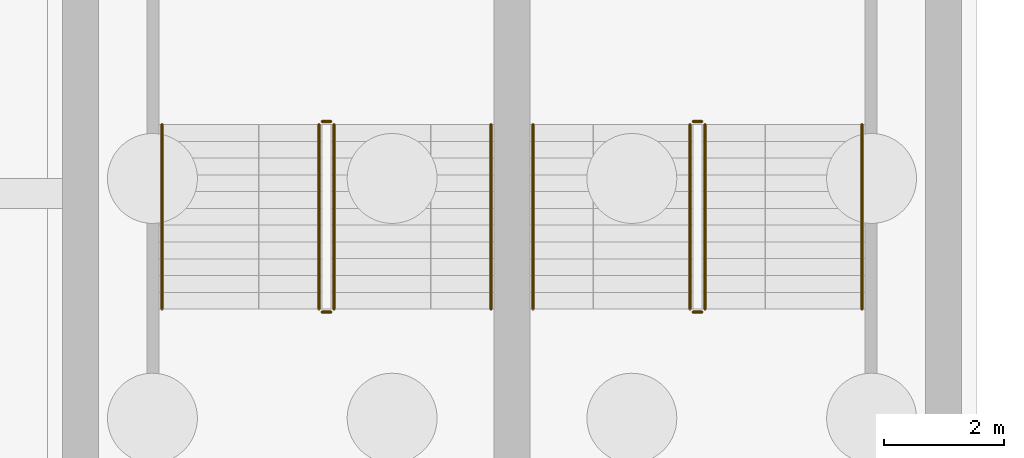
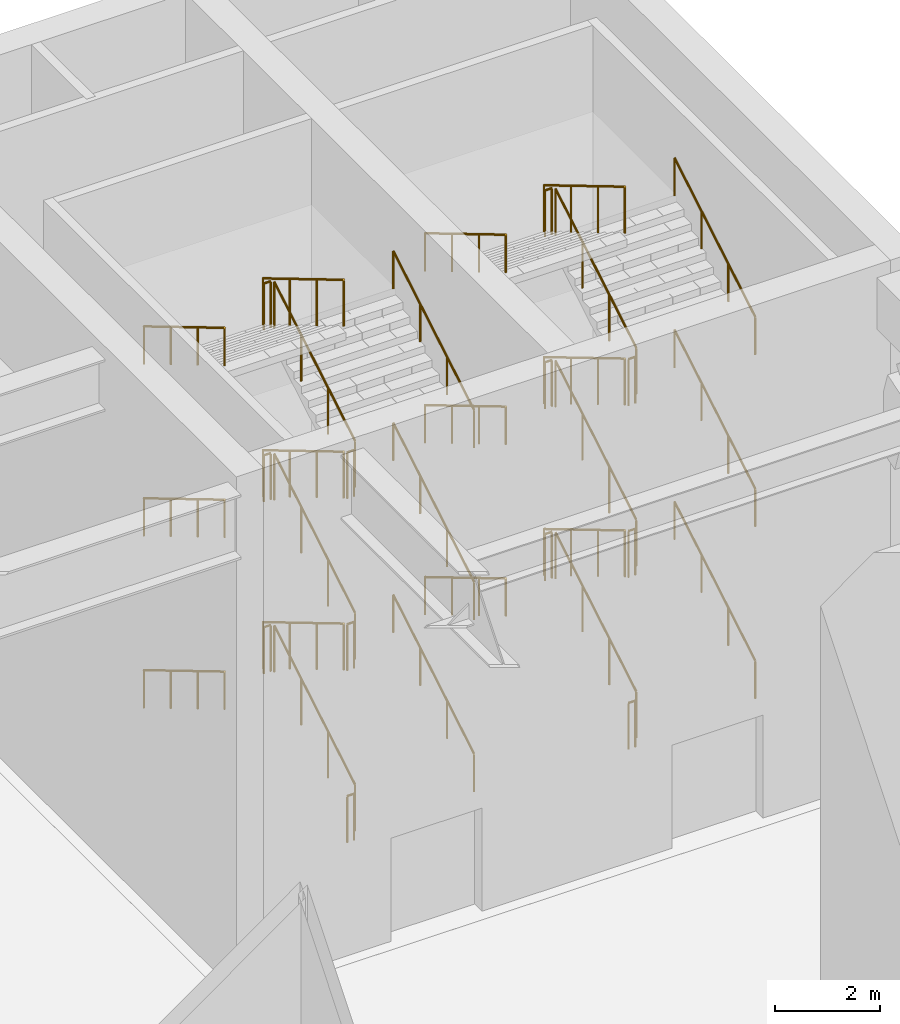
# One storey, part 33 of 34: 4 railings.
"""IFC4 building model written with IfcOpenShell, lengths in metres."""

from ifc_helpers import new_model, si_unit, direction, frame, origin, origin_2d, place, context, subcontext, project, spatial, circle, extrude, material, type_object, element, save


model = new_model("IFC4")

# Units and contexts
model_context = context("Model", 3, precision=1e-05, world=origin(), true_north=direction((0.0, 1.0)))
body_context = subcontext(model_context, "Body", "Model", "MODEL_VIEW")
ifc_project = project(units=[si_unit("LENGTHUNIT", "METRE"), si_unit("AREAUNIT", "SQUARE_METRE"), si_unit("VOLUMEUNIT", "CUBIC_METRE"), si_unit("PLANEANGLEUNIT", "RADIAN"), si_unit("MASSUNIT", "GRAM", prefix="KILO")], contexts=[model_context])

# Site, building, storey
site_placement = place(None, origin())
site = spatial("IfcSite", under=ifc_project, at=site_placement, CompositionType="ELEMENT")
building_placement = place(site_placement, origin())
building = spatial("IfcBuilding", under=site, at=building_placement, Name="Corbelhall Arena Tower", CompositionType="ELEMENT")
storey_placement = place(building_placement, origin())
storey = spatial("IfcBuildingStorey", under=building, at=storey_placement, Name="L00", CompositionType="ELEMENT", Elevation=0.0)

# Railings
ifc_material = material(Name="Stainless steel A4", Category="steel")
railing_type_1 = type_object("IfcRailingType", Name="AR-STAIR-GUARD", PredefinedType="GUARDRAIL", material=ifc_material)
railing_1_placement = place(storey_placement, frame((37.530029296875, 27.320068359375, 0.166748046875)))
element("IfcRailing", 1, at=railing_1_placement, inside=storey, type_object=railing_type_1, Name="L00 AS1 stair guards", PredefinedType="GUARDRAIL", context=body_context, shape_type="SweptSolid", body=[
    extrude(circle(Radius=0.02392578125, at=origin_2d()), frame((0.0, 0.0, 1.076171875), z_axis=(0.0, 0.859290745958, 0.51148745235), x_axis=(-1.0, 0.0, 0.0)), (0.0, 0.0, 1.0), 3.584228515625),
    extrude(circle(Radius=0.02392578125, at=origin_2d()), frame((-0.050048828125, 3.1298828125, 2.9091796875), z_axis=(-1.0, 0.0, 0.0), x_axis=(0.0, -1.0, 0.0)), (0.0, 0.0, 1.0), 0.14990234375),
    extrude(circle(Radius=0.02392578125, at=origin_2d()), frame((-0.25, 3.079833984375, 3.076171875), z_axis=(0.0, -0.859290745958, 0.51148745235), x_axis=(1.0, 0.0, 0.0)), (0.0, 0.0, 1.0), 3.584228515625),
    extrude(circle(Radius=0.02392578125, at=origin_2d()), frame((-0.050048828125, -0.050048828125, 4.9091796875), z_axis=(-1.0, 0.0, 0.0), x_axis=(0.0, -1.0, 0.0)), (0.0, 0.0, 1.0), 0.14990234375),
    extrude(circle(Radius=0.02392578125, at=origin_2d()), frame((0.0, 0.0, 5.076171875), z_axis=(0.0, 0.859290745958, 0.51148745235), x_axis=(-1.0, 0.0, 0.0)), (0.0, 0.0, 1.0), 3.584228515625),
    extrude(circle(Radius=0.02392578125, at=origin_2d()), frame((-0.050048828125, 3.1298828125, 6.9091796875), z_axis=(-1.0, 0.0, 0.0), x_axis=(0.0, -1.0, 0.0)), (0.0, 0.0, 1.0), 0.14990234375),
    extrude(circle(Radius=0.02392578125, at=origin_2d()), frame((-0.25, 3.079833984375, 7.076171875), z_axis=(0.0, -0.859290745958, 0.51148745235), x_axis=(1.0, 0.0, 0.0)), (0.0, 0.0, 1.0), 3.584228515625),
    extrude(circle(Radius=0.02392578125, at=origin_2d()), frame((-0.050048828125, -0.050048828125, 8.9091796875), z_axis=(-1.0, 0.0, 0.0), x_axis=(0.0, -1.0, 0.0)), (0.0, 0.0, 1.0), 0.14990234375),
    extrude(circle(Radius=0.02392578125, at=origin_2d()), frame((0.0, 0.0, 9.076171875), z_axis=(0.0, 0.859290745958, 0.51148745235), x_axis=(-1.0, 0.0, 0.0)), (0.0, 0.0, 1.0), 3.584228515625),
    extrude(circle(Radius=0.02392578125, at=origin_2d()), frame((-0.050048828125, 3.1298828125, 10.9091796875), z_axis=(-1.0, 0.0, 0.0), x_axis=(0.0, -1.0, 0.0)), (0.0, 0.0, 1.0), 0.14990234375),
    extrude(circle(Radius=0.02392578125, at=origin_2d()), frame((-0.25, 3.079833984375, 11.076171875), z_axis=(0.0, -0.859290745958, 0.51148745235), x_axis=(1.0, 0.0, 0.0)), (0.0, 0.0, 1.0), 3.584228515625),
    extrude(circle(Radius=0.02392578125, at=origin_2d()), frame((-0.050048828125, -0.050048828125, 0.9091796875), z_axis=(-1.0, 0.0, 0.0), x_axis=(0.0, -1.0, 0.0)), (0.0, 0.0, 1.0), 0.14990234375),
    extrude(circle(Radius=0.02099609375, at=origin_2d()), origin(), (0.0, 0.0, 1.0), 1.052001953125),
    extrude(circle(Radius=0.02099609375, at=origin_2d()), frame((0.0, 1.026611328125, 0.611083984375)), (0.0, 0.0, 1.0), 1.052001953125),
    extrude(circle(Radius=0.02099609375, at=origin_2d()), frame((0.0, 2.05322265625, 1.22216796875)), (0.0, 0.0, 1.0), 1.052001953125),
    extrude(circle(Radius=0.02099609375, at=origin_2d()), frame((0.0, 3.079833984375, 1.833251953125)), (0.0, 0.0, 1.0), 1.052001953125),
    extrude(circle(Radius=0.02099609375, at=origin_2d()), frame((-0.050048828125, 3.1298828125, 1.833251953125)), (0.0, 0.0, 1.0), 1.052001953125),
    extrude(circle(Radius=0.02099609375, at=origin_2d()), frame((-0.199951171875, 3.1298828125, 1.833251953125)), (0.0, 0.0, 1.0), 1.052001953125),
    extrude(circle(Radius=0.02099609375, at=origin_2d()), frame((-0.25, 3.079833984375, 2.0)), (0.0, 0.0, 1.0), 1.052001953125),
    extrude(circle(Radius=0.02099609375, at=origin_2d()), frame((-0.25, 2.05322265625, 2.611083984375)), (0.0, 0.0, 1.0), 1.052001953125),
    extrude(circle(Radius=0.02099609375, at=origin_2d()), frame((-0.25, 1.026611328125, 3.22216796875)), (0.0, 0.0, 1.0), 1.052001953125),
    extrude(circle(Radius=0.02099609375, at=origin_2d()), frame((-0.25, 0.0, 3.833251953125)), (0.0, 0.0, 1.0), 1.052001953125),
    extrude(circle(Radius=0.02099609375, at=origin_2d()), frame((-0.050048828125, -0.050048828125, 3.833251953125)), (0.0, 0.0, 1.0), 1.052001953125),
    extrude(circle(Radius=0.02099609375, at=origin_2d()), frame((-0.199951171875, -0.050048828125, 3.833251953125)), (0.0, 0.0, 1.0), 1.052001953125),
    extrude(circle(Radius=0.02099609375, at=origin_2d()), frame((0.0, 0.0, 4.0)), (0.0, 0.0, 1.0), 1.052001953125),
    extrude(circle(Radius=0.02099609375, at=origin_2d()), frame((0.0, 1.026611328125, 4.611083984375)), (0.0, 0.0, 1.0), 1.052001953125),
    extrude(circle(Radius=0.02099609375, at=origin_2d()), frame((0.0, 2.05322265625, 5.22216796875)), (0.0, 0.0, 1.0), 1.052001953125),
    extrude(circle(Radius=0.02099609375, at=origin_2d()), frame((0.0, 3.079833984375, 5.833251953125)), (0.0, 0.0, 1.0), 1.052001953125),
    extrude(circle(Radius=0.02099609375, at=origin_2d()), frame((-0.050048828125, 3.1298828125, 5.833251953125)), (0.0, 0.0, 1.0), 1.052001953125),
    extrude(circle(Radius=0.02099609375, at=origin_2d()), frame((-0.199951171875, 3.1298828125, 5.833251953125)), (0.0, 0.0, 1.0), 1.052001953125),
    extrude(circle(Radius=0.02099609375, at=origin_2d()), frame((-0.25, 3.079833984375, 6.0)), (0.0, 0.0, 1.0), 1.052001953125),
    extrude(circle(Radius=0.02099609375, at=origin_2d()), frame((-0.25, 2.05322265625, 6.611083984375)), (0.0, 0.0, 1.0), 1.052001953125),
    extrude(circle(Radius=0.02099609375, at=origin_2d()), frame((-0.25, 1.026611328125, 7.22216796875)), (0.0, 0.0, 1.0), 1.052001953125),
    extrude(circle(Radius=0.02099609375, at=origin_2d()), frame((-0.25, 0.0, 7.833251953125)), (0.0, 0.0, 1.0), 1.052001953125),
    extrude(circle(Radius=0.02099609375, at=origin_2d()), frame((-0.050048828125, -0.050048828125, 7.833251953125)), (0.0, 0.0, 1.0), 1.052001953125),
    extrude(circle(Radius=0.02099609375, at=origin_2d()), frame((-0.199951171875, -0.050048828125, 7.833251953125)), (0.0, 0.0, 1.0), 1.052001953125),
    extrude(circle(Radius=0.02099609375, at=origin_2d()), frame((0.0, 0.0, 8.0)), (0.0, 0.0, 1.0), 1.052001953125),
    extrude(circle(Radius=0.02099609375, at=origin_2d()), frame((0.0, 1.026611328125, 8.611083984375)), (0.0, 0.0, 1.0), 1.052001953125),
    extrude(circle(Radius=0.02099609375, at=origin_2d()), frame((0.0, 2.05322265625, 9.22216796875)), (0.0, 0.0, 1.0), 1.052001953125),
    extrude(circle(Radius=0.02099609375, at=origin_2d()), frame((0.0, 3.079833984375, 9.833251953125)), (0.0, 0.0, 1.0), 1.052001953125),
    extrude(circle(Radius=0.02099609375, at=origin_2d()), frame((-0.050048828125, 3.1298828125, 9.833251953125)), (0.0, 0.0, 1.0), 1.052001953125),
    extrude(circle(Radius=0.02099609375, at=origin_2d()), frame((-0.199951171875, 3.1298828125, 9.833251953125)), (0.0, 0.0, 1.0), 1.052001953125),
    extrude(circle(Radius=0.02099609375, at=origin_2d()), frame((-0.25, 3.079833984375, 10.0)), (0.0, 0.0, 1.0), 1.052001953125),
    extrude(circle(Radius=0.02099609375, at=origin_2d()), frame((-0.25, 2.05322265625, 10.611083984375)), (0.0, 0.0, 1.0), 1.052001953125),
    extrude(circle(Radius=0.02099609375, at=origin_2d()), frame((-0.25, 1.026611328125, 11.22216796875)), (0.0, 0.0, 1.0), 1.052001953125),
    extrude(circle(Radius=0.02099609375, at=origin_2d()), frame((-0.25, 0.0, 11.833251953125)), (0.0, 0.0, 1.0), 1.052001953125),
    extrude(circle(Radius=0.02099609375, at=origin_2d()), frame((-0.050048828125, -0.050048828125, -0.166748046875)), (0.0, 0.0, 1.0), 1.052001953125),
    extrude(circle(Radius=0.02099609375, at=origin_2d()), frame((-0.199951171875, -0.050048828125, -0.166748046875)), (0.0, 0.0, 1.0), 1.052001953125),
])
railing_2_placement = place(storey_placement, frame((43.719970703125, 27.320068359375, 0.166748046875)))
element("IfcRailing", 2, at=railing_2_placement, inside=storey, type_object=railing_type_1, Name="L00 AS2 stair guards", PredefinedType="GUARDRAIL", context=body_context, shape_type="SweptSolid", body=[
    extrude(circle(Radius=0.02392578125, at=origin_2d()), frame((0.0, 0.0, 1.076171875), z_axis=(0.0, 0.859290745958, 0.51148745235), x_axis=(-1.0, 0.0, 0.0)), (0.0, 0.0, 1.0), 3.584228515625),
    extrude(circle(Radius=0.02392578125, at=origin_2d()), frame((-0.050048828125, 3.1298828125, 2.9091796875), z_axis=(-1.0, 0.0, 0.0), x_axis=(0.0, -1.0, 0.0)), (0.0, 0.0, 1.0), 0.14990234375),
    extrude(circle(Radius=0.02392578125, at=origin_2d()), frame((-0.25, 3.079833984375, 3.076171875), z_axis=(0.0, -0.859290745958, 0.51148745235), x_axis=(1.0, 0.0, 0.0)), (0.0, 0.0, 1.0), 3.584228515625),
    extrude(circle(Radius=0.02392578125, at=origin_2d()), frame((-0.050048828125, -0.050048828125, 4.9091796875), z_axis=(-1.0, 0.0, 0.0), x_axis=(0.0, -1.0, 0.0)), (0.0, 0.0, 1.0), 0.14990234375),
    extrude(circle(Radius=0.02392578125, at=origin_2d()), frame((0.0, 0.0, 5.076171875), z_axis=(0.0, 0.859290745958, 0.51148745235), x_axis=(-1.0, 0.0, 0.0)), (0.0, 0.0, 1.0), 3.584228515625),
    extrude(circle(Radius=0.02392578125, at=origin_2d()), frame((-0.050048828125, 3.1298828125, 6.9091796875), z_axis=(-1.0, 0.0, 0.0), x_axis=(0.0, -1.0, 0.0)), (0.0, 0.0, 1.0), 0.14990234375),
    extrude(circle(Radius=0.02392578125, at=origin_2d()), frame((-0.25, 3.079833984375, 7.076171875), z_axis=(0.0, -0.859290745958, 0.51148745235), x_axis=(1.0, 0.0, 0.0)), (0.0, 0.0, 1.0), 3.584228515625),
    extrude(circle(Radius=0.02392578125, at=origin_2d()), frame((-0.050048828125, -0.050048828125, 8.9091796875), z_axis=(-1.0, 0.0, 0.0), x_axis=(0.0, -1.0, 0.0)), (0.0, 0.0, 1.0), 0.14990234375),
    extrude(circle(Radius=0.02392578125, at=origin_2d()), frame((0.0, 0.0, 9.076171875), z_axis=(0.0, 0.859290745958, 0.51148745235), x_axis=(-1.0, 0.0, 0.0)), (0.0, 0.0, 1.0), 3.584228515625),
    extrude(circle(Radius=0.02392578125, at=origin_2d()), frame((-0.050048828125, 3.1298828125, 10.9091796875), z_axis=(-1.0, 0.0, 0.0), x_axis=(0.0, -1.0, 0.0)), (0.0, 0.0, 1.0), 0.14990234375),
    extrude(circle(Radius=0.02392578125, at=origin_2d()), frame((-0.25, 3.079833984375, 11.076171875), z_axis=(0.0, -0.859290745958, 0.51148745235), x_axis=(1.0, 0.0, 0.0)), (0.0, 0.0, 1.0), 3.584228515625),
    extrude(circle(Radius=0.02392578125, at=origin_2d()), frame((-0.050048828125, -0.050048828125, 0.9091796875), z_axis=(-1.0, 0.0, 0.0), x_axis=(0.0, -1.0, 0.0)), (0.0, 0.0, 1.0), 0.14990234375),
    extrude(circle(Radius=0.02099609375, at=origin_2d()), origin(), (0.0, 0.0, 1.0), 1.052001953125),
    extrude(circle(Radius=0.02099609375, at=origin_2d()), frame((0.0, 1.026611328125, 0.611083984375)), (0.0, 0.0, 1.0), 1.052001953125),
    extrude(circle(Radius=0.02099609375, at=origin_2d()), frame((0.0, 2.05322265625, 1.22216796875)), (0.0, 0.0, 1.0), 1.052001953125),
    extrude(circle(Radius=0.02099609375, at=origin_2d()), frame((0.0, 3.079833984375, 1.833251953125)), (0.0, 0.0, 1.0), 1.052001953125),
    extrude(circle(Radius=0.02099609375, at=origin_2d()), frame((-0.050048828125, 3.1298828125, 1.833251953125)), (0.0, 0.0, 1.0), 1.052001953125),
    extrude(circle(Radius=0.02099609375, at=origin_2d()), frame((-0.199951171875, 3.1298828125, 1.833251953125)), (0.0, 0.0, 1.0), 1.052001953125),
    extrude(circle(Radius=0.02099609375, at=origin_2d()), frame((-0.25, 3.079833984375, 2.0)), (0.0, 0.0, 1.0), 1.052001953125),
    extrude(circle(Radius=0.02099609375, at=origin_2d()), frame((-0.25, 2.05322265625, 2.611083984375)), (0.0, 0.0, 1.0), 1.052001953125),
    extrude(circle(Radius=0.02099609375, at=origin_2d()), frame((-0.25, 1.026611328125, 3.22216796875)), (0.0, 0.0, 1.0), 1.052001953125),
    extrude(circle(Radius=0.02099609375, at=origin_2d()), frame((-0.25, 0.0, 3.833251953125)), (0.0, 0.0, 1.0), 1.052001953125),
    extrude(circle(Radius=0.02099609375, at=origin_2d()), frame((-0.050048828125, -0.050048828125, 3.833251953125)), (0.0, 0.0, 1.0), 1.052001953125),
    extrude(circle(Radius=0.02099609375, at=origin_2d()), frame((-0.199951171875, -0.050048828125, 3.833251953125)), (0.0, 0.0, 1.0), 1.052001953125),
    extrude(circle(Radius=0.02099609375, at=origin_2d()), frame((0.0, 0.0, 4.0)), (0.0, 0.0, 1.0), 1.052001953125),
    extrude(circle(Radius=0.02099609375, at=origin_2d()), frame((0.0, 1.026611328125, 4.611083984375)), (0.0, 0.0, 1.0), 1.052001953125),
    extrude(circle(Radius=0.02099609375, at=origin_2d()), frame((0.0, 2.05322265625, 5.22216796875)), (0.0, 0.0, 1.0), 1.052001953125),
    extrude(circle(Radius=0.02099609375, at=origin_2d()), frame((0.0, 3.079833984375, 5.833251953125)), (0.0, 0.0, 1.0), 1.052001953125),
    extrude(circle(Radius=0.02099609375, at=origin_2d()), frame((-0.050048828125, 3.1298828125, 5.833251953125)), (0.0, 0.0, 1.0), 1.052001953125),
    extrude(circle(Radius=0.02099609375, at=origin_2d()), frame((-0.199951171875, 3.1298828125, 5.833251953125)), (0.0, 0.0, 1.0), 1.052001953125),
    extrude(circle(Radius=0.02099609375, at=origin_2d()), frame((-0.25, 3.079833984375, 6.0)), (0.0, 0.0, 1.0), 1.052001953125),
    extrude(circle(Radius=0.02099609375, at=origin_2d()), frame((-0.25, 2.05322265625, 6.611083984375)), (0.0, 0.0, 1.0), 1.052001953125),
    extrude(circle(Radius=0.02099609375, at=origin_2d()), frame((-0.25, 1.026611328125, 7.22216796875)), (0.0, 0.0, 1.0), 1.052001953125),
    extrude(circle(Radius=0.02099609375, at=origin_2d()), frame((-0.25, 0.0, 7.833251953125)), (0.0, 0.0, 1.0), 1.052001953125),
    extrude(circle(Radius=0.02099609375, at=origin_2d()), frame((-0.050048828125, -0.050048828125, 7.833251953125)), (0.0, 0.0, 1.0), 1.052001953125),
    extrude(circle(Radius=0.02099609375, at=origin_2d()), frame((-0.199951171875, -0.050048828125, 7.833251953125)), (0.0, 0.0, 1.0), 1.052001953125),
    extrude(circle(Radius=0.02099609375, at=origin_2d()), frame((0.0, 0.0, 8.0)), (0.0, 0.0, 1.0), 1.052001953125),
    extrude(circle(Radius=0.02099609375, at=origin_2d()), frame((0.0, 1.026611328125, 8.611083984375)), (0.0, 0.0, 1.0), 1.052001953125),
    extrude(circle(Radius=0.02099609375, at=origin_2d()), frame((0.0, 2.05322265625, 9.22216796875)), (0.0, 0.0, 1.0), 1.052001953125),
    extrude(circle(Radius=0.02099609375, at=origin_2d()), frame((0.0, 3.079833984375, 9.833251953125)), (0.0, 0.0, 1.0), 1.052001953125),
    extrude(circle(Radius=0.02099609375, at=origin_2d()), frame((-0.050048828125, 3.1298828125, 9.833251953125)), (0.0, 0.0, 1.0), 1.052001953125),
    extrude(circle(Radius=0.02099609375, at=origin_2d()), frame((-0.199951171875, 3.1298828125, 9.833251953125)), (0.0, 0.0, 1.0), 1.052001953125),
    extrude(circle(Radius=0.02099609375, at=origin_2d()), frame((-0.25, 3.079833984375, 10.0)), (0.0, 0.0, 1.0), 1.052001953125),
    extrude(circle(Radius=0.02099609375, at=origin_2d()), frame((-0.25, 2.05322265625, 10.611083984375)), (0.0, 0.0, 1.0), 1.052001953125),
    extrude(circle(Radius=0.02099609375, at=origin_2d()), frame((-0.25, 1.026611328125, 11.22216796875)), (0.0, 0.0, 1.0), 1.052001953125),
    extrude(circle(Radius=0.02099609375, at=origin_2d()), frame((-0.25, 0.0, 11.833251953125)), (0.0, 0.0, 1.0), 1.052001953125),
    extrude(circle(Radius=0.02099609375, at=origin_2d()), frame((-0.050048828125, -0.050048828125, -0.166748046875)), (0.0, 0.0, 1.0), 1.052001953125),
    extrude(circle(Radius=0.02099609375, at=origin_2d()), frame((-0.199951171875, -0.050048828125, -0.166748046875)), (0.0, 0.0, 1.0), 1.052001953125),
])
railing_type_2 = type_object("IfcRailingType", Name="AR-STAIR-HANDRAIL", PredefinedType="HANDRAIL", material=ifc_material)
railing_3_placement = place(storey_placement, frame((40.14990234375, 27.320068359375, 0.166748046875)))
element("IfcRailing", 3, at=railing_3_placement, inside=storey, type_object=railing_type_2, Name="L00 AS1 stair handrails", PredefinedType="HANDRAIL", context=body_context, shape_type="SweptSolid", body=[
    extrude(circle(Radius=0.02392578125, at=origin_2d()), frame((0.0, 0.0, 0.8759765625), z_axis=(0.0, 0.859290745958, 0.51148745235), x_axis=(-1.0, 0.0, 0.0)), (0.0, 0.0, 1.0), 3.584228515625),
    extrude(circle(Radius=0.02392578125, at=origin_2d()), frame((-5.489990234375, 3.079833984375, 2.8759765625), z_axis=(0.0, -0.859290745958, 0.51148745235), x_axis=(1.0, 0.0, 0.0)), (0.0, 0.0, 1.0), 3.584228515625),
    extrude(circle(Radius=0.02392578125, at=origin_2d()), frame((0.0, 0.0, 4.8759765625), z_axis=(0.0, 0.859290745958, 0.51148745235), x_axis=(-1.0, 0.0, 0.0)), (0.0, 0.0, 1.0), 3.584228515625),
    extrude(circle(Radius=0.02392578125, at=origin_2d()), frame((-5.489990234375, 3.079833984375, 6.8759765625), z_axis=(0.0, -0.859290745958, 0.51148745235), x_axis=(1.0, 0.0, 0.0)), (0.0, 0.0, 1.0), 3.584228515625),
    extrude(circle(Radius=0.02392578125, at=origin_2d()), frame((0.0, 0.0, 8.8759765625), z_axis=(0.0, 0.859290745958, 0.51148745235), x_axis=(-1.0, 0.0, 0.0)), (0.0, 0.0, 1.0), 3.584228515625),
    extrude(circle(Radius=0.02392578125, at=origin_2d()), frame((-5.489990234375, 3.079833984375, 10.8759765625), z_axis=(0.0, -0.859290745958, 0.51148745235), x_axis=(1.0, 0.0, 0.0)), (0.0, 0.0, 1.0), 3.584228515625),
    extrude(circle(Radius=0.02099609375, at=origin_2d()), origin(), (0.0, 0.0, 1.0), 0.851806640625),
    extrude(circle(Radius=0.02099609375, at=origin_2d()), frame((0.0, 1.026611328125, 0.611083984375)), (0.0, 0.0, 1.0), 0.851806640625),
    extrude(circle(Radius=0.02099609375, at=origin_2d()), frame((0.0, 2.05322265625, 1.22216796875)), (0.0, 0.0, 1.0), 0.851806640625),
    extrude(circle(Radius=0.02099609375, at=origin_2d()), frame((0.0, 3.079833984375, 1.833251953125)), (0.0, 0.0, 1.0), 0.851806640625),
    extrude(circle(Radius=0.02099609375, at=origin_2d()), frame((-5.489990234375, 3.079833984375, 2.0)), (0.0, 0.0, 1.0), 0.851806640625),
    extrude(circle(Radius=0.02099609375, at=origin_2d()), frame((-5.489990234375, 2.05322265625, 2.611083984375)), (0.0, 0.0, 1.0), 0.851806640625),
    extrude(circle(Radius=0.02099609375, at=origin_2d()), frame((-5.489990234375, 1.026611328125, 3.22216796875)), (0.0, 0.0, 1.0), 0.851806640625),
    extrude(circle(Radius=0.02099609375, at=origin_2d()), frame((-5.489990234375, 0.0, 3.833251953125)), (0.0, 0.0, 1.0), 0.851806640625),
    extrude(circle(Radius=0.02099609375, at=origin_2d()), frame((0.0, 0.0, 4.0)), (0.0, 0.0, 1.0), 0.851806640625),
    extrude(circle(Radius=0.02099609375, at=origin_2d()), frame((0.0, 1.026611328125, 4.611083984375)), (0.0, 0.0, 1.0), 0.851806640625),
    extrude(circle(Radius=0.02099609375, at=origin_2d()), frame((0.0, 2.05322265625, 5.22216796875)), (0.0, 0.0, 1.0), 0.851806640625),
    extrude(circle(Radius=0.02099609375, at=origin_2d()), frame((0.0, 3.079833984375, 5.833251953125)), (0.0, 0.0, 1.0), 0.851806640625),
    extrude(circle(Radius=0.02099609375, at=origin_2d()), frame((-5.489990234375, 3.079833984375, 6.0)), (0.0, 0.0, 1.0), 0.851806640625),
    extrude(circle(Radius=0.02099609375, at=origin_2d()), frame((-5.489990234375, 2.05322265625, 6.611083984375)), (0.0, 0.0, 1.0), 0.851806640625),
    extrude(circle(Radius=0.02099609375, at=origin_2d()), frame((-5.489990234375, 1.026611328125, 7.22216796875)), (0.0, 0.0, 1.0), 0.851806640625),
    extrude(circle(Radius=0.02099609375, at=origin_2d()), frame((-5.489990234375, 0.0, 7.833251953125)), (0.0, 0.0, 1.0), 0.851806640625),
    extrude(circle(Radius=0.02099609375, at=origin_2d()), frame((0.0, 0.0, 8.0)), (0.0, 0.0, 1.0), 0.851806640625),
    extrude(circle(Radius=0.02099609375, at=origin_2d()), frame((0.0, 1.026611328125, 8.611083984375)), (0.0, 0.0, 1.0), 0.851806640625),
    extrude(circle(Radius=0.02099609375, at=origin_2d()), frame((0.0, 2.05322265625, 9.22216796875)), (0.0, 0.0, 1.0), 0.851806640625),
    extrude(circle(Radius=0.02099609375, at=origin_2d()), frame((0.0, 3.079833984375, 9.833251953125)), (0.0, 0.0, 1.0), 0.851806640625),
    extrude(circle(Radius=0.02099609375, at=origin_2d()), frame((-5.489990234375, 3.079833984375, 10.0)), (0.0, 0.0, 1.0), 0.851806640625),
    extrude(circle(Radius=0.02099609375, at=origin_2d()), frame((-5.489990234375, 2.05322265625, 10.611083984375)), (0.0, 0.0, 1.0), 0.851806640625),
    extrude(circle(Radius=0.02099609375, at=origin_2d()), frame((-5.489990234375, 1.026611328125, 11.22216796875)), (0.0, 0.0, 1.0), 0.851806640625),
    extrude(circle(Radius=0.02099609375, at=origin_2d()), frame((-5.489990234375, 0.0, 11.833251953125)), (0.0, 0.0, 1.0), 0.851806640625),
])
railing_4_placement = place(storey_placement, frame((46.340087890625, 27.320068359375, 0.166748046875)))
element("IfcRailing", 4, at=railing_4_placement, inside=storey, type_object=railing_type_2, Name="L00 AS2 stair handrails", PredefinedType="HANDRAIL", context=body_context, shape_type="SweptSolid", body=[
    extrude(circle(Radius=0.02392578125, at=origin_2d()), frame((0.0, 0.0, 0.8759765625), z_axis=(0.0, 0.859290745958, 0.51148745235), x_axis=(-1.0, 0.0, 0.0)), (0.0, 0.0, 1.0), 3.584228515625),
    extrude(circle(Radius=0.02392578125, at=origin_2d()), frame((-5.489990234375, 3.079833984375, 2.8759765625), z_axis=(0.0, -0.859290745958, 0.51148745235), x_axis=(1.0, 0.0, 0.0)), (0.0, 0.0, 1.0), 3.584228515625),
    extrude(circle(Radius=0.02392578125, at=origin_2d()), frame((0.0, 0.0, 4.8759765625), z_axis=(0.0, 0.859290745958, 0.51148745235), x_axis=(-1.0, 0.0, 0.0)), (0.0, 0.0, 1.0), 3.584228515625),
    extrude(circle(Radius=0.02392578125, at=origin_2d()), frame((-5.489990234375, 3.079833984375, 6.8759765625), z_axis=(0.0, -0.859290745958, 0.51148745235), x_axis=(1.0, 0.0, 0.0)), (0.0, 0.0, 1.0), 3.584228515625),
    extrude(circle(Radius=0.02392578125, at=origin_2d()), frame((0.0, 0.0, 8.8759765625), z_axis=(0.0, 0.859290745958, 0.51148745235), x_axis=(-1.0, 0.0, 0.0)), (0.0, 0.0, 1.0), 3.584228515625),
    extrude(circle(Radius=0.02392578125, at=origin_2d()), frame((-5.489990234375, 3.079833984375, 10.8759765625), z_axis=(0.0, -0.859290745958, 0.51148745235), x_axis=(1.0, 0.0, 0.0)), (0.0, 0.0, 1.0), 3.584228515625),
    extrude(circle(Radius=0.02099609375, at=origin_2d()), origin(), (0.0, 0.0, 1.0), 0.851806640625),
    extrude(circle(Radius=0.02099609375, at=origin_2d()), frame((0.0, 1.026611328125, 0.611083984375)), (0.0, 0.0, 1.0), 0.851806640625),
    extrude(circle(Radius=0.02099609375, at=origin_2d()), frame((0.0, 2.05322265625, 1.22216796875)), (0.0, 0.0, 1.0), 0.851806640625),
    extrude(circle(Radius=0.02099609375, at=origin_2d()), frame((0.0, 3.079833984375, 1.833251953125)), (0.0, 0.0, 1.0), 0.851806640625),
    extrude(circle(Radius=0.02099609375, at=origin_2d()), frame((-5.489990234375, 3.079833984375, 2.0)), (0.0, 0.0, 1.0), 0.851806640625),
    extrude(circle(Radius=0.02099609375, at=origin_2d()), frame((-5.489990234375, 2.05322265625, 2.611083984375)), (0.0, 0.0, 1.0), 0.851806640625),
    extrude(circle(Radius=0.02099609375, at=origin_2d()), frame((-5.489990234375, 1.026611328125, 3.22216796875)), (0.0, 0.0, 1.0), 0.851806640625),
    extrude(circle(Radius=0.02099609375, at=origin_2d()), frame((-5.489990234375, 0.0, 3.833251953125)), (0.0, 0.0, 1.0), 0.851806640625),
    extrude(circle(Radius=0.02099609375, at=origin_2d()), frame((0.0, 0.0, 4.0)), (0.0, 0.0, 1.0), 0.851806640625),
    extrude(circle(Radius=0.02099609375, at=origin_2d()), frame((0.0, 1.026611328125, 4.611083984375)), (0.0, 0.0, 1.0), 0.851806640625),
    extrude(circle(Radius=0.02099609375, at=origin_2d()), frame((0.0, 2.05322265625, 5.22216796875)), (0.0, 0.0, 1.0), 0.851806640625),
    extrude(circle(Radius=0.02099609375, at=origin_2d()), frame((0.0, 3.079833984375, 5.833251953125)), (0.0, 0.0, 1.0), 0.851806640625),
    extrude(circle(Radius=0.02099609375, at=origin_2d()), frame((-5.489990234375, 3.079833984375, 6.0)), (0.0, 0.0, 1.0), 0.851806640625),
    extrude(circle(Radius=0.02099609375, at=origin_2d()), frame((-5.489990234375, 2.05322265625, 6.611083984375)), (0.0, 0.0, 1.0), 0.851806640625),
    extrude(circle(Radius=0.02099609375, at=origin_2d()), frame((-5.489990234375, 1.026611328125, 7.22216796875)), (0.0, 0.0, 1.0), 0.851806640625),
    extrude(circle(Radius=0.02099609375, at=origin_2d()), frame((-5.489990234375, 0.0, 7.833251953125)), (0.0, 0.0, 1.0), 0.851806640625),
    extrude(circle(Radius=0.02099609375, at=origin_2d()), frame((0.0, 0.0, 8.0)), (0.0, 0.0, 1.0), 0.851806640625),
    extrude(circle(Radius=0.02099609375, at=origin_2d()), frame((0.0, 1.026611328125, 8.611083984375)), (0.0, 0.0, 1.0), 0.851806640625),
    extrude(circle(Radius=0.02099609375, at=origin_2d()), frame((0.0, 2.05322265625, 9.22216796875)), (0.0, 0.0, 1.0), 0.851806640625),
    extrude(circle(Radius=0.02099609375, at=origin_2d()), frame((0.0, 3.079833984375, 9.833251953125)), (0.0, 0.0, 1.0), 0.851806640625),
    extrude(circle(Radius=0.02099609375, at=origin_2d()), frame((-5.489990234375, 3.079833984375, 10.0)), (0.0, 0.0, 1.0), 0.851806640625),
    extrude(circle(Radius=0.02099609375, at=origin_2d()), frame((-5.489990234375, 2.05322265625, 10.611083984375)), (0.0, 0.0, 1.0), 0.851806640625),
    extrude(circle(Radius=0.02099609375, at=origin_2d()), frame((-5.489990234375, 1.026611328125, 11.22216796875)), (0.0, 0.0, 1.0), 0.851806640625),
    extrude(circle(Radius=0.02099609375, at=origin_2d()), frame((-5.489990234375, 0.0, 11.833251953125)), (0.0, 0.0, 1.0), 0.851806640625),
])

save(model, "model.ifc")
